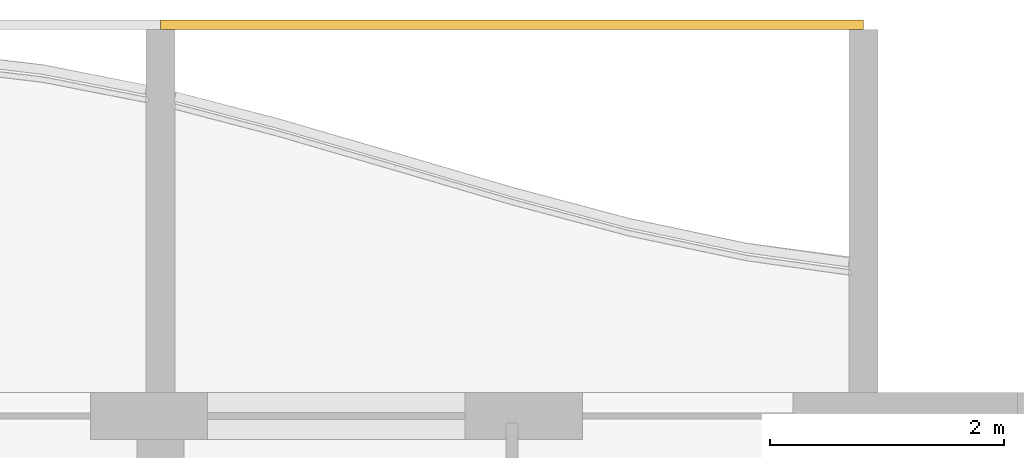
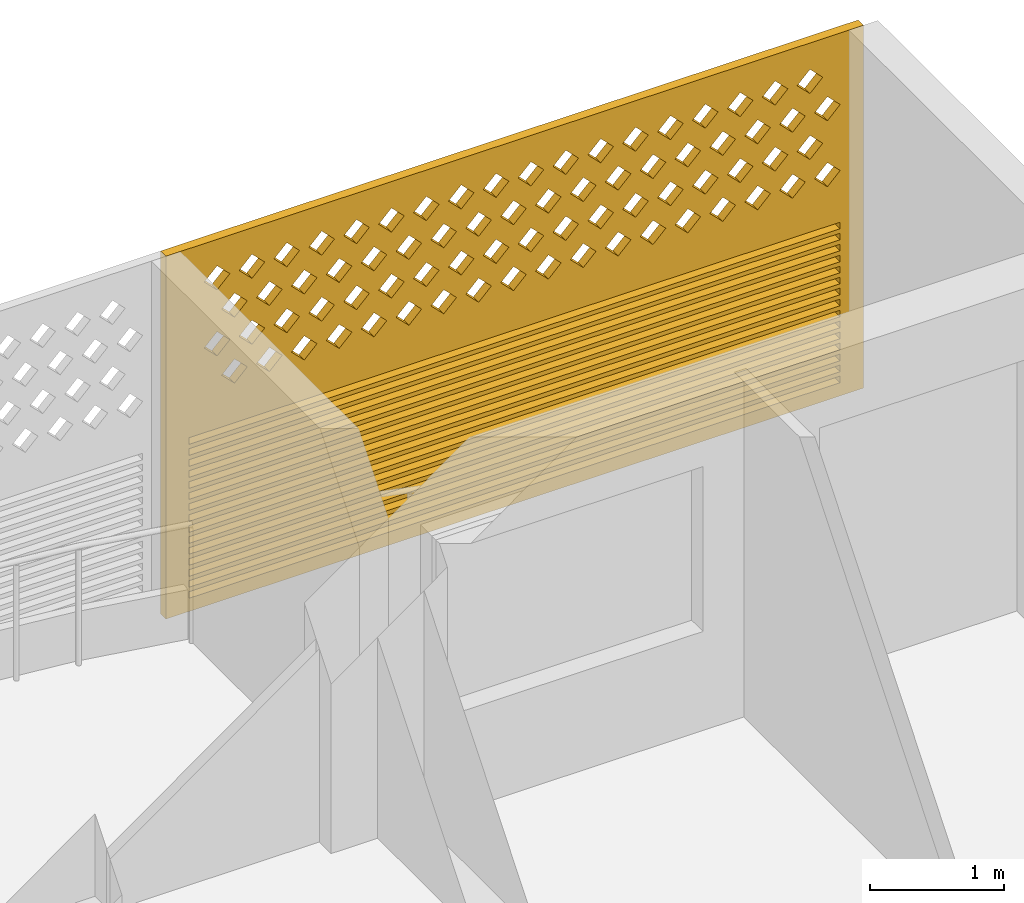
# One storey, part 40 of 40: 1 covering.
"""IFC4 building model written with IfcOpenShell, lengths in metres."""

from ifc_helpers import new_model, si_unit, direction, frame, origin, place, context, subcontext, project, spatial, polyline, outline, extrude, source, transform, mapped, material, material_profile, profile_set, type_object, element, save


model = new_model("IFC4")

# Units and contexts
model_context = context("Model", 3, precision=1e-05, world=origin(), true_north=direction((0.0, 1.0)))
body_context = subcontext(model_context, "Body", "Model", "MODEL_VIEW")
ifc_project = project(units=[si_unit("LENGTHUNIT", "METRE"), si_unit("AREAUNIT", "SQUARE_METRE"), si_unit("VOLUMEUNIT", "CUBIC_METRE"), si_unit("PLANEANGLEUNIT", "RADIAN"), si_unit("MASSUNIT", "GRAM", prefix="KILO")], contexts=[model_context])

# Site, building, storey
site_placement = place(None, origin())
site = spatial("IfcSite", under=ifc_project, at=site_placement, CompositionType="ELEMENT")
building_placement = place(site_placement, origin())
building = spatial("IfcBuilding", under=site, at=building_placement, Name="Poui Terraces", CompositionType="ELEMENT")
storey_placement = place(building_placement, frame((0.0, 0.0, 36.60009765625)))
storey = spatial("IfcBuildingStorey", under=building, at=storey_placement, Name="L09", CompositionType="ELEMENT", Elevation=36.60009765625)

# Covering
ifc_material = material(Name="Terracotta screen", Category="masonry")
ifc_material_profile = material_profile(ifc_material, outline(polyline([(-3.0, -1.64990234375), (3.0, -1.64990234375), (3.0, 1.64990234375), (-3.0, 1.64990234375), (-3.0, -1.64990234375)]), holes=[polyline([(-2.800048828125, 0.39990234375), (-2.68994140625, 0.2900390625), (-2.580078125, 0.39990234375), (-2.68994140625, 0.510009765625), (-2.800048828125, 0.39990234375)]), polyline([(-2.5, 0.39990234375), (-2.389892578125, 0.2900390625), (-2.280029296875, 0.39990234375), (-2.389892578125, 0.510009765625), (-2.5, 0.39990234375)]), polyline([(-2.199951171875, 0.39990234375), (-2.090087890625, 0.2900390625), (-1.97998046875, 0.39990234375), (-2.090087890625, 0.510009765625), (-2.199951171875, 0.39990234375)]), polyline([(-1.89990234375, 0.39990234375), (-1.7900390625, 0.2900390625), (-1.679931640625, 0.39990234375), (-1.7900390625, 0.510009765625), (-1.89990234375, 0.39990234375)]), polyline([(-1.60009765625, 0.39990234375), (-1.489990234375, 0.2900390625), (-1.3798828125, 0.39990234375), (-1.489990234375, 0.510009765625), (-1.60009765625, 0.39990234375)]), polyline([(-1.300048828125, 0.39990234375), (-1.18994140625, 0.2900390625), (-1.080078125, 0.39990234375), (-1.18994140625, 0.510009765625), (-1.300048828125, 0.39990234375)]), polyline([(-1.0, 0.39990234375), (-0.889892578125, 0.2900390625), (-0.780029296875, 0.39990234375), (-0.889892578125, 0.510009765625), (-1.0, 0.39990234375)]), polyline([(-0.699951171875, 0.39990234375), (-0.590087890625, 0.2900390625), (-0.47998046875, 0.39990234375), (-0.590087890625, 0.510009765625), (-0.699951171875, 0.39990234375)]), polyline([(-0.39990234375, 0.39990234375), (-0.2900390625, 0.2900390625), (-0.179931640625, 0.39990234375), (-0.2900390625, 0.510009765625), (-0.39990234375, 0.39990234375)]), polyline([(-0.10009765625, 0.39990234375), (0.010009765625, 0.2900390625), (0.1201171875, 0.39990234375), (0.010009765625, 0.510009765625), (-0.10009765625, 0.39990234375)]), polyline([(0.199951171875, 0.39990234375), (0.31005859375, 0.2900390625), (0.419921875, 0.39990234375), (0.31005859375, 0.510009765625), (0.199951171875, 0.39990234375)]), polyline([(0.5, 0.39990234375), (0.610107421875, 0.2900390625), (0.719970703125, 0.39990234375), (0.610107421875, 0.510009765625), (0.5, 0.39990234375)]), polyline([(0.800048828125, 0.39990234375), (0.909912109375, 0.2900390625), (1.02001953125, 0.39990234375), (0.909912109375, 0.510009765625), (0.800048828125, 0.39990234375)]), polyline([(1.10009765625, 0.39990234375), (1.2099609375, 0.2900390625), (1.320068359375, 0.39990234375), (1.2099609375, 0.510009765625), (1.10009765625, 0.39990234375)]), polyline([(1.39990234375, 0.39990234375), (1.510009765625, 0.2900390625), (1.6201171875, 0.39990234375), (1.510009765625, 0.510009765625), (1.39990234375, 0.39990234375)]), polyline([(1.699951171875, 0.39990234375), (1.81005859375, 0.2900390625), (1.919921875, 0.39990234375), (1.81005859375, 0.510009765625), (1.699951171875, 0.39990234375)]), polyline([(2.0, 0.39990234375), (2.110107421875, 0.2900390625), (2.219970703125, 0.39990234375), (2.110107421875, 0.510009765625), (2.0, 0.39990234375)]), polyline([(2.300048828125, 0.39990234375), (2.409912109375, 0.2900390625), (2.52001953125, 0.39990234375), (2.409912109375, 0.510009765625), (2.300048828125, 0.39990234375)]), polyline([(-2.64990234375, 0.699951171875), (-2.5400390625, 0.590087890625), (-2.429931640625, 0.699951171875), (-2.5400390625, 0.81005859375), (-2.64990234375, 0.699951171875)]), polyline([(-2.35009765625, 0.699951171875), (-2.239990234375, 0.590087890625), (-2.1298828125, 0.699951171875), (-2.239990234375, 0.81005859375), (-2.35009765625, 0.699951171875)]), polyline([(-2.050048828125, 0.699951171875), (-1.93994140625, 0.590087890625), (-1.830078125, 0.699951171875), (-1.93994140625, 0.81005859375), (-2.050048828125, 0.699951171875)]), polyline([(-1.75, 0.699951171875), (-1.639892578125, 0.590087890625), (-1.530029296875, 0.699951171875), (-1.639892578125, 0.81005859375), (-1.75, 0.699951171875)]), polyline([(-1.449951171875, 0.699951171875), (-1.340087890625, 0.590087890625), (-1.22998046875, 0.699951171875), (-1.340087890625, 0.81005859375), (-1.449951171875, 0.699951171875)]), polyline([(-1.14990234375, 0.699951171875), (-1.0400390625, 0.590087890625), (-0.929931640625, 0.699951171875), (-1.0400390625, 0.81005859375), (-1.14990234375, 0.699951171875)]), polyline([(-0.85009765625, 0.699951171875), (-0.739990234375, 0.590087890625), (-0.6298828125, 0.699951171875), (-0.739990234375, 0.81005859375), (-0.85009765625, 0.699951171875)]), polyline([(-0.550048828125, 0.699951171875), (-0.43994140625, 0.590087890625), (-0.330078125, 0.699951171875), (-0.43994140625, 0.81005859375), (-0.550048828125, 0.699951171875)]), polyline([(-0.25, 0.699951171875), (-0.139892578125, 0.590087890625), (-0.030029296875, 0.699951171875), (-0.139892578125, 0.81005859375), (-0.25, 0.699951171875)]), polyline([(0.050048828125, 0.699951171875), (0.159912109375, 0.590087890625), (0.27001953125, 0.699951171875), (0.159912109375, 0.81005859375), (0.050048828125, 0.699951171875)]), polyline([(0.35009765625, 0.699951171875), (0.4599609375, 0.590087890625), (0.570068359375, 0.699951171875), (0.4599609375, 0.81005859375), (0.35009765625, 0.699951171875)]), polyline([(0.64990234375, 0.699951171875), (0.760009765625, 0.590087890625), (0.8701171875, 0.699951171875), (0.760009765625, 0.81005859375), (0.64990234375, 0.699951171875)]), polyline([(0.949951171875, 0.699951171875), (1.06005859375, 0.590087890625), (1.169921875, 0.699951171875), (1.06005859375, 0.81005859375), (0.949951171875, 0.699951171875)]), polyline([(1.25, 0.699951171875), (1.360107421875, 0.590087890625), (1.469970703125, 0.699951171875), (1.360107421875, 0.81005859375), (1.25, 0.699951171875)]), polyline([(1.550048828125, 0.699951171875), (1.659912109375, 0.590087890625), (1.77001953125, 0.699951171875), (1.659912109375, 0.81005859375), (1.550048828125, 0.699951171875)]), polyline([(1.85009765625, 0.699951171875), (1.9599609375, 0.590087890625), (2.070068359375, 0.699951171875), (1.9599609375, 0.81005859375), (1.85009765625, 0.699951171875)]), polyline([(2.14990234375, 0.699951171875), (2.260009765625, 0.590087890625), (2.3701171875, 0.699951171875), (2.260009765625, 0.81005859375), (2.14990234375, 0.699951171875)]), polyline([(2.449951171875, 0.699951171875), (2.56005859375, 0.590087890625), (2.669921875, 0.699951171875), (2.56005859375, 0.81005859375), (2.449951171875, 0.699951171875)]), polyline([(-2.800048828125, 1.0), (-2.68994140625, 0.889892578125), (-2.580078125, 1.0), (-2.68994140625, 1.110107421875), (-2.800048828125, 1.0)]), polyline([(-2.5, 1.0), (-2.389892578125, 0.889892578125), (-2.280029296875, 1.0), (-2.389892578125, 1.110107421875), (-2.5, 1.0)]), polyline([(-2.199951171875, 1.0), (-2.090087890625, 0.889892578125), (-1.97998046875, 1.0), (-2.090087890625, 1.110107421875), (-2.199951171875, 1.0)]), polyline([(-1.89990234375, 1.0), (-1.7900390625, 0.889892578125), (-1.679931640625, 1.0), (-1.7900390625, 1.110107421875), (-1.89990234375, 1.0)]), polyline([(-1.60009765625, 1.0), (-1.489990234375, 0.889892578125), (-1.3798828125, 1.0), (-1.489990234375, 1.110107421875), (-1.60009765625, 1.0)]), polyline([(-1.300048828125, 1.0), (-1.18994140625, 0.889892578125), (-1.080078125, 1.0), (-1.18994140625, 1.110107421875), (-1.300048828125, 1.0)]), polyline([(-1.0, 1.0), (-0.889892578125, 0.889892578125), (-0.780029296875, 1.0), (-0.889892578125, 1.110107421875), (-1.0, 1.0)]), polyline([(-0.699951171875, 1.0), (-0.590087890625, 0.889892578125), (-0.47998046875, 1.0), (-0.590087890625, 1.110107421875), (-0.699951171875, 1.0)]), polyline([(-0.39990234375, 1.0), (-0.2900390625, 0.889892578125), (-0.179931640625, 1.0), (-0.2900390625, 1.110107421875), (-0.39990234375, 1.0)]), polyline([(-0.10009765625, 1.0), (0.010009765625, 0.889892578125), (0.1201171875, 1.0), (0.010009765625, 1.110107421875), (-0.10009765625, 1.0)]), polyline([(0.199951171875, 1.0), (0.31005859375, 0.889892578125), (0.419921875, 1.0), (0.31005859375, 1.110107421875), (0.199951171875, 1.0)]), polyline([(0.5, 1.0), (0.610107421875, 0.889892578125), (0.719970703125, 1.0), (0.610107421875, 1.110107421875), (0.5, 1.0)]), polyline([(0.800048828125, 1.0), (0.909912109375, 0.889892578125), (1.02001953125, 1.0), (0.909912109375, 1.110107421875), (0.800048828125, 1.0)]), polyline([(1.10009765625, 1.0), (1.2099609375, 0.889892578125), (1.320068359375, 1.0), (1.2099609375, 1.110107421875), (1.10009765625, 1.0)]), polyline([(1.39990234375, 1.0), (1.510009765625, 0.889892578125), (1.6201171875, 1.0), (1.510009765625, 1.110107421875), (1.39990234375, 1.0)]), polyline([(1.699951171875, 1.0), (1.81005859375, 0.889892578125), (1.919921875, 1.0), (1.81005859375, 1.110107421875), (1.699951171875, 1.0)]), polyline([(2.0, 1.0), (2.110107421875, 0.889892578125), (2.219970703125, 1.0), (2.110107421875, 1.110107421875), (2.0, 1.0)]), polyline([(2.300048828125, 1.0), (2.409912109375, 0.889892578125), (2.52001953125, 1.0), (2.409912109375, 1.110107421875), (2.300048828125, 1.0)]), polyline([(-2.64990234375, 1.300048828125), (-2.5400390625, 1.18994140625), (-2.429931640625, 1.300048828125), (-2.5400390625, 1.409912109375), (-2.64990234375, 1.300048828125)]), polyline([(-2.35009765625, 1.300048828125), (-2.239990234375, 1.18994140625), (-2.1298828125, 1.300048828125), (-2.239990234375, 1.409912109375), (-2.35009765625, 1.300048828125)]), polyline([(-2.050048828125, 1.300048828125), (-1.93994140625, 1.18994140625), (-1.830078125, 1.300048828125), (-1.93994140625, 1.409912109375), (-2.050048828125, 1.300048828125)]), polyline([(-1.75, 1.300048828125), (-1.639892578125, 1.18994140625), (-1.530029296875, 1.300048828125), (-1.639892578125, 1.409912109375), (-1.75, 1.300048828125)]), polyline([(-1.449951171875, 1.300048828125), (-1.340087890625, 1.18994140625), (-1.22998046875, 1.300048828125), (-1.340087890625, 1.409912109375), (-1.449951171875, 1.300048828125)]), polyline([(-1.14990234375, 1.300048828125), (-1.0400390625, 1.18994140625), (-0.929931640625, 1.300048828125), (-1.0400390625, 1.409912109375), (-1.14990234375, 1.300048828125)]), polyline([(-0.85009765625, 1.300048828125), (-0.739990234375, 1.18994140625), (-0.6298828125, 1.300048828125), (-0.739990234375, 1.409912109375), (-0.85009765625, 1.300048828125)]), polyline([(-0.550048828125, 1.300048828125), (-0.43994140625, 1.18994140625), (-0.330078125, 1.300048828125), (-0.43994140625, 1.409912109375), (-0.550048828125, 1.300048828125)]), polyline([(-0.25, 1.300048828125), (-0.139892578125, 1.18994140625), (-0.030029296875, 1.300048828125), (-0.139892578125, 1.409912109375), (-0.25, 1.300048828125)]), polyline([(0.050048828125, 1.300048828125), (0.159912109375, 1.18994140625), (0.27001953125, 1.300048828125), (0.159912109375, 1.409912109375), (0.050048828125, 1.300048828125)]), polyline([(0.35009765625, 1.300048828125), (0.4599609375, 1.18994140625), (0.570068359375, 1.300048828125), (0.4599609375, 1.409912109375), (0.35009765625, 1.300048828125)]), polyline([(0.64990234375, 1.300048828125), (0.760009765625, 1.18994140625), (0.8701171875, 1.300048828125), (0.760009765625, 1.409912109375), (0.64990234375, 1.300048828125)]), polyline([(0.949951171875, 1.300048828125), (1.06005859375, 1.18994140625), (1.169921875, 1.300048828125), (1.06005859375, 1.409912109375), (0.949951171875, 1.300048828125)]), polyline([(1.25, 1.300048828125), (1.360107421875, 1.18994140625), (1.469970703125, 1.300048828125), (1.360107421875, 1.409912109375), (1.25, 1.300048828125)]), polyline([(1.550048828125, 1.300048828125), (1.659912109375, 1.18994140625), (1.77001953125, 1.300048828125), (1.659912109375, 1.409912109375), (1.550048828125, 1.300048828125)]), polyline([(1.85009765625, 1.300048828125), (1.9599609375, 1.18994140625), (2.070068359375, 1.300048828125), (1.9599609375, 1.409912109375), (1.85009765625, 1.300048828125)]), polyline([(2.14990234375, 1.300048828125), (2.260009765625, 1.18994140625), (2.3701171875, 1.300048828125), (2.260009765625, 1.409912109375), (2.14990234375, 1.300048828125)]), polyline([(2.449951171875, 1.300048828125), (2.56005859375, 1.18994140625), (2.669921875, 1.300048828125), (2.56005859375, 1.409912109375), (2.449951171875, 1.300048828125)]), polyline([(-2.800048828125, -1.530029296875), (2.800048828125, -1.530029296875), (2.800048828125, -1.469970703125), (-2.800048828125, -1.469970703125), (-2.800048828125, -1.530029296875)]), polyline([(-2.800048828125, -1.429931640625), (2.800048828125, -1.429931640625), (2.800048828125, -1.3701171875), (-2.800048828125, -1.3701171875), (-2.800048828125, -1.429931640625)]), polyline([(-2.800048828125, -1.330078125), (2.800048828125, -1.330078125), (2.800048828125, -1.27001953125), (-2.800048828125, -1.27001953125), (-2.800048828125, -1.330078125)]), polyline([(-2.800048828125, -1.22998046875), (2.800048828125, -1.22998046875), (2.800048828125, -1.169921875), (-2.800048828125, -1.169921875), (-2.800048828125, -1.22998046875)]), polyline([(-2.800048828125, -1.1298828125), (2.800048828125, -1.1298828125), (2.800048828125, -1.070068359375), (-2.800048828125, -1.070068359375), (-2.800048828125, -1.1298828125)]), polyline([(-2.800048828125, -1.030029296875), (2.800048828125, -1.030029296875), (2.800048828125, -0.969970703125), (-2.800048828125, -0.969970703125), (-2.800048828125, -1.030029296875)]), polyline([(-2.800048828125, -0.929931640625), (2.800048828125, -0.929931640625), (2.800048828125, -0.8701171875), (-2.800048828125, -0.8701171875), (-2.800048828125, -0.929931640625)]), polyline([(-2.800048828125, -0.830078125), (2.800048828125, -0.830078125), (2.800048828125, -0.77001953125), (-2.800048828125, -0.77001953125), (-2.800048828125, -0.830078125)]), polyline([(-2.800048828125, -0.72998046875), (2.800048828125, -0.72998046875), (2.800048828125, -0.669921875), (-2.800048828125, -0.669921875), (-2.800048828125, -0.72998046875)]), polyline([(-2.800048828125, -0.6298828125), (2.800048828125, -0.6298828125), (2.800048828125, -0.570068359375), (-2.800048828125, -0.570068359375), (-2.800048828125, -0.6298828125)]), polyline([(-2.800048828125, -0.530029296875), (2.800048828125, -0.530029296875), (2.800048828125, -0.469970703125), (-2.800048828125, -0.469970703125), (-2.800048828125, -0.530029296875)]), polyline([(-2.800048828125, -0.429931640625), (2.800048828125, -0.429931640625), (2.800048828125, -0.3701171875), (-2.800048828125, -0.3701171875), (-2.800048828125, -0.429931640625)]), polyline([(-2.800048828125, -0.330078125), (2.800048828125, -0.330078125), (2.800048828125, -0.27001953125), (-2.800048828125, -0.27001953125), (-2.800048828125, -0.330078125)]), polyline([(-2.800048828125, -0.22998046875), (2.800048828125, -0.22998046875), (2.800048828125, -0.169921875), (-2.800048828125, -0.169921875), (-2.800048828125, -0.22998046875)]), polyline([(-2.800048828125, -0.1298828125), (2.800048828125, -0.1298828125), (2.800048828125, -0.070068359375), (-2.800048828125, -0.070068359375), (-2.800048828125, -0.1298828125)])]), Name="TERRACOTTA SCREEN AND JALOUSIE LOUVRE 6000X3300")
ifc_profile_set = profile_set([ifc_material_profile], Name="Terracotta screen")
covering_type = type_object("IfcCoveringType", Name="TERRACOTTA SCREEN AND JALOUSIE LOUVRE 6000X3300", PredefinedType="CLADDING", material=ifc_profile_set)
shared_shape = source(origin(), body_context, "Body", "SweptSolid", [
    extrude(outline(polyline([(-3.0, -1.64990234375), (3.0, -1.64990234375), (3.0, 1.64990234375), (-3.0, 1.64990234375), (-3.0, -1.64990234375)]), holes=[polyline([(-2.800048828125, 0.39990234375), (-2.68994140625, 0.2900390625), (-2.580078125, 0.39990234375), (-2.68994140625, 0.510009765625), (-2.800048828125, 0.39990234375)]), polyline([(-2.5, 0.39990234375), (-2.389892578125, 0.2900390625), (-2.280029296875, 0.39990234375), (-2.389892578125, 0.510009765625), (-2.5, 0.39990234375)]), polyline([(-2.199951171875, 0.39990234375), (-2.090087890625, 0.2900390625), (-1.97998046875, 0.39990234375), (-2.090087890625, 0.510009765625), (-2.199951171875, 0.39990234375)]), polyline([(-1.89990234375, 0.39990234375), (-1.7900390625, 0.2900390625), (-1.679931640625, 0.39990234375), (-1.7900390625, 0.510009765625), (-1.89990234375, 0.39990234375)]), polyline([(-1.60009765625, 0.39990234375), (-1.489990234375, 0.2900390625), (-1.3798828125, 0.39990234375), (-1.489990234375, 0.510009765625), (-1.60009765625, 0.39990234375)]), polyline([(-1.300048828125, 0.39990234375), (-1.18994140625, 0.2900390625), (-1.080078125, 0.39990234375), (-1.18994140625, 0.510009765625), (-1.300048828125, 0.39990234375)]), polyline([(-1.0, 0.39990234375), (-0.889892578125, 0.2900390625), (-0.780029296875, 0.39990234375), (-0.889892578125, 0.510009765625), (-1.0, 0.39990234375)]), polyline([(-0.699951171875, 0.39990234375), (-0.590087890625, 0.2900390625), (-0.47998046875, 0.39990234375), (-0.590087890625, 0.510009765625), (-0.699951171875, 0.39990234375)]), polyline([(-0.39990234375, 0.39990234375), (-0.2900390625, 0.2900390625), (-0.179931640625, 0.39990234375), (-0.2900390625, 0.510009765625), (-0.39990234375, 0.39990234375)]), polyline([(-0.10009765625, 0.39990234375), (0.010009765625, 0.2900390625), (0.1201171875, 0.39990234375), (0.010009765625, 0.510009765625), (-0.10009765625, 0.39990234375)]), polyline([(0.199951171875, 0.39990234375), (0.31005859375, 0.2900390625), (0.419921875, 0.39990234375), (0.31005859375, 0.510009765625), (0.199951171875, 0.39990234375)]), polyline([(0.5, 0.39990234375), (0.610107421875, 0.2900390625), (0.719970703125, 0.39990234375), (0.610107421875, 0.510009765625), (0.5, 0.39990234375)]), polyline([(0.800048828125, 0.39990234375), (0.909912109375, 0.2900390625), (1.02001953125, 0.39990234375), (0.909912109375, 0.510009765625), (0.800048828125, 0.39990234375)]), polyline([(1.10009765625, 0.39990234375), (1.2099609375, 0.2900390625), (1.320068359375, 0.39990234375), (1.2099609375, 0.510009765625), (1.10009765625, 0.39990234375)]), polyline([(1.39990234375, 0.39990234375), (1.510009765625, 0.2900390625), (1.6201171875, 0.39990234375), (1.510009765625, 0.510009765625), (1.39990234375, 0.39990234375)]), polyline([(1.699951171875, 0.39990234375), (1.81005859375, 0.2900390625), (1.919921875, 0.39990234375), (1.81005859375, 0.510009765625), (1.699951171875, 0.39990234375)]), polyline([(2.0, 0.39990234375), (2.110107421875, 0.2900390625), (2.219970703125, 0.39990234375), (2.110107421875, 0.510009765625), (2.0, 0.39990234375)]), polyline([(2.300048828125, 0.39990234375), (2.409912109375, 0.2900390625), (2.52001953125, 0.39990234375), (2.409912109375, 0.510009765625), (2.300048828125, 0.39990234375)]), polyline([(-2.64990234375, 0.699951171875), (-2.5400390625, 0.590087890625), (-2.429931640625, 0.699951171875), (-2.5400390625, 0.81005859375), (-2.64990234375, 0.699951171875)]), polyline([(-2.35009765625, 0.699951171875), (-2.239990234375, 0.590087890625), (-2.1298828125, 0.699951171875), (-2.239990234375, 0.81005859375), (-2.35009765625, 0.699951171875)]), polyline([(-2.050048828125, 0.699951171875), (-1.93994140625, 0.590087890625), (-1.830078125, 0.699951171875), (-1.93994140625, 0.81005859375), (-2.050048828125, 0.699951171875)]), polyline([(-1.75, 0.699951171875), (-1.639892578125, 0.590087890625), (-1.530029296875, 0.699951171875), (-1.639892578125, 0.81005859375), (-1.75, 0.699951171875)]), polyline([(-1.449951171875, 0.699951171875), (-1.340087890625, 0.590087890625), (-1.22998046875, 0.699951171875), (-1.340087890625, 0.81005859375), (-1.449951171875, 0.699951171875)]), polyline([(-1.14990234375, 0.699951171875), (-1.0400390625, 0.590087890625), (-0.929931640625, 0.699951171875), (-1.0400390625, 0.81005859375), (-1.14990234375, 0.699951171875)]), polyline([(-0.85009765625, 0.699951171875), (-0.739990234375, 0.590087890625), (-0.6298828125, 0.699951171875), (-0.739990234375, 0.81005859375), (-0.85009765625, 0.699951171875)]), polyline([(-0.550048828125, 0.699951171875), (-0.43994140625, 0.590087890625), (-0.330078125, 0.699951171875), (-0.43994140625, 0.81005859375), (-0.550048828125, 0.699951171875)]), polyline([(-0.25, 0.699951171875), (-0.139892578125, 0.590087890625), (-0.030029296875, 0.699951171875), (-0.139892578125, 0.81005859375), (-0.25, 0.699951171875)]), polyline([(0.050048828125, 0.699951171875), (0.159912109375, 0.590087890625), (0.27001953125, 0.699951171875), (0.159912109375, 0.81005859375), (0.050048828125, 0.699951171875)]), polyline([(0.35009765625, 0.699951171875), (0.4599609375, 0.590087890625), (0.570068359375, 0.699951171875), (0.4599609375, 0.81005859375), (0.35009765625, 0.699951171875)]), polyline([(0.64990234375, 0.699951171875), (0.760009765625, 0.590087890625), (0.8701171875, 0.699951171875), (0.760009765625, 0.81005859375), (0.64990234375, 0.699951171875)]), polyline([(0.949951171875, 0.699951171875), (1.06005859375, 0.590087890625), (1.169921875, 0.699951171875), (1.06005859375, 0.81005859375), (0.949951171875, 0.699951171875)]), polyline([(1.25, 0.699951171875), (1.360107421875, 0.590087890625), (1.469970703125, 0.699951171875), (1.360107421875, 0.81005859375), (1.25, 0.699951171875)]), polyline([(1.550048828125, 0.699951171875), (1.659912109375, 0.590087890625), (1.77001953125, 0.699951171875), (1.659912109375, 0.81005859375), (1.550048828125, 0.699951171875)]), polyline([(1.85009765625, 0.699951171875), (1.9599609375, 0.590087890625), (2.070068359375, 0.699951171875), (1.9599609375, 0.81005859375), (1.85009765625, 0.699951171875)]), polyline([(2.14990234375, 0.699951171875), (2.260009765625, 0.590087890625), (2.3701171875, 0.699951171875), (2.260009765625, 0.81005859375), (2.14990234375, 0.699951171875)]), polyline([(2.449951171875, 0.699951171875), (2.56005859375, 0.590087890625), (2.669921875, 0.699951171875), (2.56005859375, 0.81005859375), (2.449951171875, 0.699951171875)]), polyline([(-2.800048828125, 1.0), (-2.68994140625, 0.889892578125), (-2.580078125, 1.0), (-2.68994140625, 1.110107421875), (-2.800048828125, 1.0)]), polyline([(-2.5, 1.0), (-2.389892578125, 0.889892578125), (-2.280029296875, 1.0), (-2.389892578125, 1.110107421875), (-2.5, 1.0)]), polyline([(-2.199951171875, 1.0), (-2.090087890625, 0.889892578125), (-1.97998046875, 1.0), (-2.090087890625, 1.110107421875), (-2.199951171875, 1.0)]), polyline([(-1.89990234375, 1.0), (-1.7900390625, 0.889892578125), (-1.679931640625, 1.0), (-1.7900390625, 1.110107421875), (-1.89990234375, 1.0)]), polyline([(-1.60009765625, 1.0), (-1.489990234375, 0.889892578125), (-1.3798828125, 1.0), (-1.489990234375, 1.110107421875), (-1.60009765625, 1.0)]), polyline([(-1.300048828125, 1.0), (-1.18994140625, 0.889892578125), (-1.080078125, 1.0), (-1.18994140625, 1.110107421875), (-1.300048828125, 1.0)]), polyline([(-1.0, 1.0), (-0.889892578125, 0.889892578125), (-0.780029296875, 1.0), (-0.889892578125, 1.110107421875), (-1.0, 1.0)]), polyline([(-0.699951171875, 1.0), (-0.590087890625, 0.889892578125), (-0.47998046875, 1.0), (-0.590087890625, 1.110107421875), (-0.699951171875, 1.0)]), polyline([(-0.39990234375, 1.0), (-0.2900390625, 0.889892578125), (-0.179931640625, 1.0), (-0.2900390625, 1.110107421875), (-0.39990234375, 1.0)]), polyline([(-0.10009765625, 1.0), (0.010009765625, 0.889892578125), (0.1201171875, 1.0), (0.010009765625, 1.110107421875), (-0.10009765625, 1.0)]), polyline([(0.199951171875, 1.0), (0.31005859375, 0.889892578125), (0.419921875, 1.0), (0.31005859375, 1.110107421875), (0.199951171875, 1.0)]), polyline([(0.5, 1.0), (0.610107421875, 0.889892578125), (0.719970703125, 1.0), (0.610107421875, 1.110107421875), (0.5, 1.0)]), polyline([(0.800048828125, 1.0), (0.909912109375, 0.889892578125), (1.02001953125, 1.0), (0.909912109375, 1.110107421875), (0.800048828125, 1.0)]), polyline([(1.10009765625, 1.0), (1.2099609375, 0.889892578125), (1.320068359375, 1.0), (1.2099609375, 1.110107421875), (1.10009765625, 1.0)]), polyline([(1.39990234375, 1.0), (1.510009765625, 0.889892578125), (1.6201171875, 1.0), (1.510009765625, 1.110107421875), (1.39990234375, 1.0)]), polyline([(1.699951171875, 1.0), (1.81005859375, 0.889892578125), (1.919921875, 1.0), (1.81005859375, 1.110107421875), (1.699951171875, 1.0)]), polyline([(2.0, 1.0), (2.110107421875, 0.889892578125), (2.219970703125, 1.0), (2.110107421875, 1.110107421875), (2.0, 1.0)]), polyline([(2.300048828125, 1.0), (2.409912109375, 0.889892578125), (2.52001953125, 1.0), (2.409912109375, 1.110107421875), (2.300048828125, 1.0)]), polyline([(-2.64990234375, 1.300048828125), (-2.5400390625, 1.18994140625), (-2.429931640625, 1.300048828125), (-2.5400390625, 1.409912109375), (-2.64990234375, 1.300048828125)]), polyline([(-2.35009765625, 1.300048828125), (-2.239990234375, 1.18994140625), (-2.1298828125, 1.300048828125), (-2.239990234375, 1.409912109375), (-2.35009765625, 1.300048828125)]), polyline([(-2.050048828125, 1.300048828125), (-1.93994140625, 1.18994140625), (-1.830078125, 1.300048828125), (-1.93994140625, 1.409912109375), (-2.050048828125, 1.300048828125)]), polyline([(-1.75, 1.300048828125), (-1.639892578125, 1.18994140625), (-1.530029296875, 1.300048828125), (-1.639892578125, 1.409912109375), (-1.75, 1.300048828125)]), polyline([(-1.449951171875, 1.300048828125), (-1.340087890625, 1.18994140625), (-1.22998046875, 1.300048828125), (-1.340087890625, 1.409912109375), (-1.449951171875, 1.300048828125)]), polyline([(-1.14990234375, 1.300048828125), (-1.0400390625, 1.18994140625), (-0.929931640625, 1.300048828125), (-1.0400390625, 1.409912109375), (-1.14990234375, 1.300048828125)]), polyline([(-0.85009765625, 1.300048828125), (-0.739990234375, 1.18994140625), (-0.6298828125, 1.300048828125), (-0.739990234375, 1.409912109375), (-0.85009765625, 1.300048828125)]), polyline([(-0.550048828125, 1.300048828125), (-0.43994140625, 1.18994140625), (-0.330078125, 1.300048828125), (-0.43994140625, 1.409912109375), (-0.550048828125, 1.300048828125)]), polyline([(-0.25, 1.300048828125), (-0.139892578125, 1.18994140625), (-0.030029296875, 1.300048828125), (-0.139892578125, 1.409912109375), (-0.25, 1.300048828125)]), polyline([(0.050048828125, 1.300048828125), (0.159912109375, 1.18994140625), (0.27001953125, 1.300048828125), (0.159912109375, 1.409912109375), (0.050048828125, 1.300048828125)]), polyline([(0.35009765625, 1.300048828125), (0.4599609375, 1.18994140625), (0.570068359375, 1.300048828125), (0.4599609375, 1.409912109375), (0.35009765625, 1.300048828125)]), polyline([(0.64990234375, 1.300048828125), (0.760009765625, 1.18994140625), (0.8701171875, 1.300048828125), (0.760009765625, 1.409912109375), (0.64990234375, 1.300048828125)]), polyline([(0.949951171875, 1.300048828125), (1.06005859375, 1.18994140625), (1.169921875, 1.300048828125), (1.06005859375, 1.409912109375), (0.949951171875, 1.300048828125)]), polyline([(1.25, 1.300048828125), (1.360107421875, 1.18994140625), (1.469970703125, 1.300048828125), (1.360107421875, 1.409912109375), (1.25, 1.300048828125)]), polyline([(1.550048828125, 1.300048828125), (1.659912109375, 1.18994140625), (1.77001953125, 1.300048828125), (1.659912109375, 1.409912109375), (1.550048828125, 1.300048828125)]), polyline([(1.85009765625, 1.300048828125), (1.9599609375, 1.18994140625), (2.070068359375, 1.300048828125), (1.9599609375, 1.409912109375), (1.85009765625, 1.300048828125)]), polyline([(2.14990234375, 1.300048828125), (2.260009765625, 1.18994140625), (2.3701171875, 1.300048828125), (2.260009765625, 1.409912109375), (2.14990234375, 1.300048828125)]), polyline([(2.449951171875, 1.300048828125), (2.56005859375, 1.18994140625), (2.669921875, 1.300048828125), (2.56005859375, 1.409912109375), (2.449951171875, 1.300048828125)]), polyline([(-2.800048828125, -1.530029296875), (2.800048828125, -1.530029296875), (2.800048828125, -1.469970703125), (-2.800048828125, -1.469970703125), (-2.800048828125, -1.530029296875)]), polyline([(-2.800048828125, -1.429931640625), (2.800048828125, -1.429931640625), (2.800048828125, -1.3701171875), (-2.800048828125, -1.3701171875), (-2.800048828125, -1.429931640625)]), polyline([(-2.800048828125, -1.330078125), (2.800048828125, -1.330078125), (2.800048828125, -1.27001953125), (-2.800048828125, -1.27001953125), (-2.800048828125, -1.330078125)]), polyline([(-2.800048828125, -1.22998046875), (2.800048828125, -1.22998046875), (2.800048828125, -1.169921875), (-2.800048828125, -1.169921875), (-2.800048828125, -1.22998046875)]), polyline([(-2.800048828125, -1.1298828125), (2.800048828125, -1.1298828125), (2.800048828125, -1.070068359375), (-2.800048828125, -1.070068359375), (-2.800048828125, -1.1298828125)]), polyline([(-2.800048828125, -1.030029296875), (2.800048828125, -1.030029296875), (2.800048828125, -0.969970703125), (-2.800048828125, -0.969970703125), (-2.800048828125, -1.030029296875)]), polyline([(-2.800048828125, -0.929931640625), (2.800048828125, -0.929931640625), (2.800048828125, -0.8701171875), (-2.800048828125, -0.8701171875), (-2.800048828125, -0.929931640625)]), polyline([(-2.800048828125, -0.830078125), (2.800048828125, -0.830078125), (2.800048828125, -0.77001953125), (-2.800048828125, -0.77001953125), (-2.800048828125, -0.830078125)]), polyline([(-2.800048828125, -0.72998046875), (2.800048828125, -0.72998046875), (2.800048828125, -0.669921875), (-2.800048828125, -0.669921875), (-2.800048828125, -0.72998046875)]), polyline([(-2.800048828125, -0.6298828125), (2.800048828125, -0.6298828125), (2.800048828125, -0.570068359375), (-2.800048828125, -0.570068359375), (-2.800048828125, -0.6298828125)]), polyline([(-2.800048828125, -0.530029296875), (2.800048828125, -0.530029296875), (2.800048828125, -0.469970703125), (-2.800048828125, -0.469970703125), (-2.800048828125, -0.530029296875)]), polyline([(-2.800048828125, -0.429931640625), (2.800048828125, -0.429931640625), (2.800048828125, -0.3701171875), (-2.800048828125, -0.3701171875), (-2.800048828125, -0.429931640625)]), polyline([(-2.800048828125, -0.330078125), (2.800048828125, -0.330078125), (2.800048828125, -0.27001953125), (-2.800048828125, -0.27001953125), (-2.800048828125, -0.330078125)]), polyline([(-2.800048828125, -0.22998046875), (2.800048828125, -0.22998046875), (2.800048828125, -0.169921875), (-2.800048828125, -0.169921875), (-2.800048828125, -0.22998046875)]), polyline([(-2.800048828125, -0.1298828125), (2.800048828125, -0.1298828125), (2.800048828125, -0.070068359375), (-2.800048828125, -0.070068359375), (-2.800048828125, -0.1298828125)])]), origin(), (0.0, 0.0, 1.0), 0.079833984375),
])
covering_placement = place(storey_placement, frame((93.0, 48.10009765625, 1.449951171875), z_axis=(0.0, 1.0, 0.0), x_axis=(-1.0, 0.0, 0.0)))
element("IfcCovering", 1, at=covering_placement, inside=storey, type_object=covering_type, Name="SOLAR SCREEN AND JALOUSIE LOUVRE", PredefinedType="CLADDING", context=body_context, shape_type="MappedRepresentation", body=[
    mapped(shared_shape, transform((0.0, 0.0, 0.0))),
])

save(model, "model.ifc")
